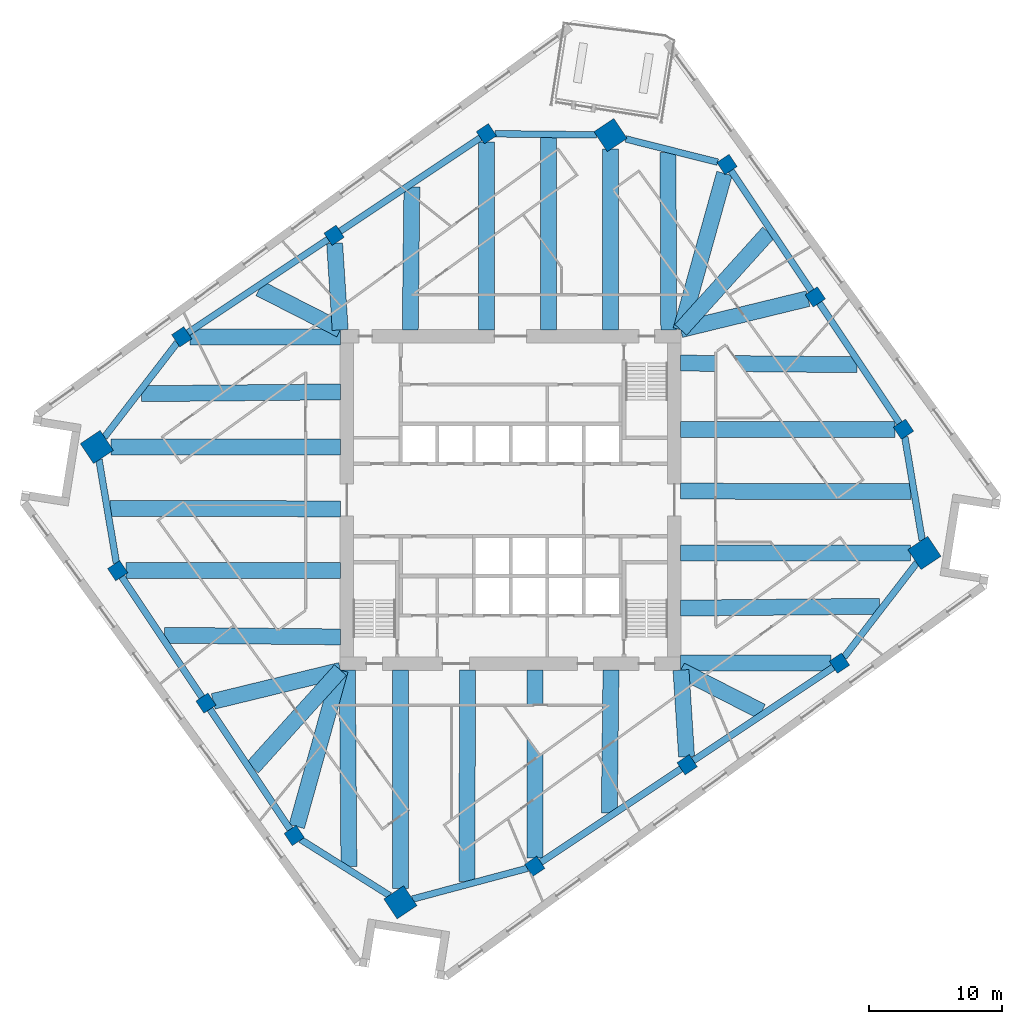
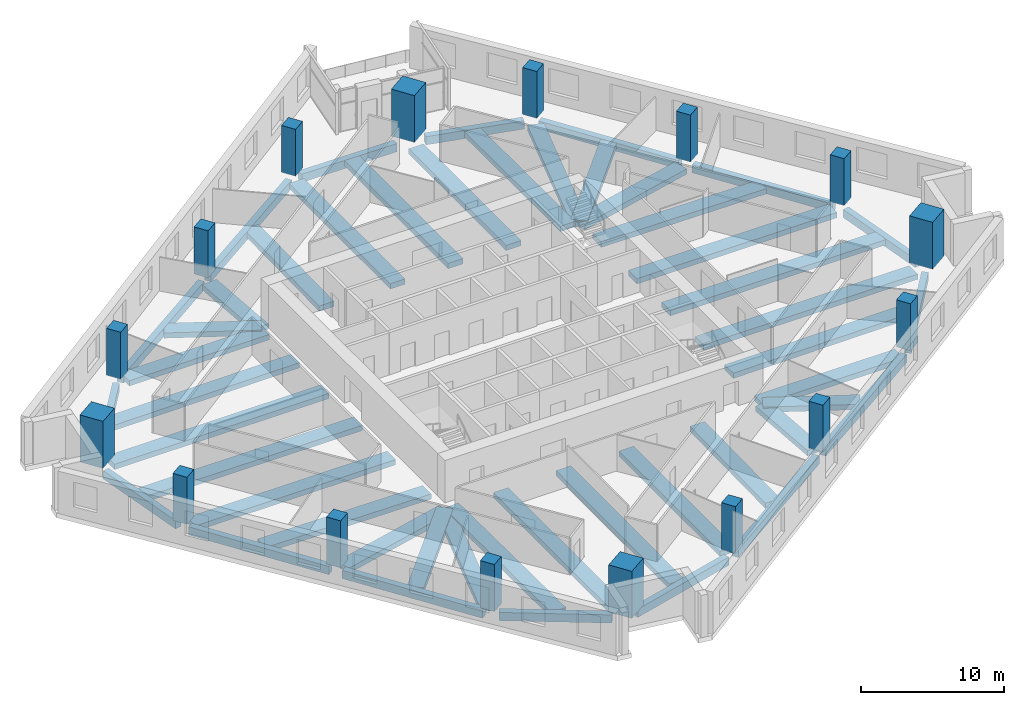
# One storey, part 1 of 11: 48 beams, 16 columns.
"""IFC4 building model written with IfcOpenShell, lengths in metres."""

from ifc_helpers import new_model, si_unit, direction, frame, origin, origin_2d, place, context, subcontext, project, spatial, rectangle, extrude, material, material_profile, profile_set, type_object, element, save


model = new_model("IFC4")

# Units and contexts
model_context = context("Model", 3, precision=1e-05, world=origin(), true_north=direction((0.0, 1.0)))
body_context = subcontext(model_context, "Body", "Model", "MODEL_VIEW")
ifc_project = project(units=[si_unit("LENGTHUNIT", "METRE"), si_unit("AREAUNIT", "SQUARE_METRE"), si_unit("VOLUMEUNIT", "CUBIC_METRE"), si_unit("PLANEANGLEUNIT", "RADIAN"), si_unit("MASSUNIT", "GRAM", prefix="KILO")], contexts=[model_context])

# Site, building, storey
site_placement = place(None, origin())
site = spatial("IfcSite", under=ifc_project, at=site_placement, CompositionType="ELEMENT")
building_placement = place(site_placement, origin())
building = spatial("IfcBuilding", under=site, at=building_placement, Name="Dilmun Exchange Tower", CompositionType="ELEMENT")
storey_placement = place(building_placement, frame((0.0, 0.0, 167.699951171875)))
storey = spatial("IfcBuildingStorey", under=building, at=storey_placement, Name="L39", CompositionType="ELEMENT", Elevation=167.699951171875)

# Columns
ifc_material_1 = material(Name="Concrete C60/75", Category="concrete")
ifc_material_profile_1 = material_profile(ifc_material_1, rectangle(XDim=1.800048828125, YDim=1.800048828125, at=origin_2d()), Name="1800 x 1800")
ifc_profile_set_1 = profile_set([ifc_material_profile_1], Name="Concrete C60/75")
column_type_1 = type_object("IfcColumnType", Name="RC mega column 1800 x 1800 C60/75", PredefinedType="COLUMN", material=ifc_profile_set_1)
for number, where, z_axis, x_axis, name in (
    (1, (7.506103515625, 27.409912109375, 0.0), (0.0, 0.0, 1.0), (0.832028680356, 0.55473261583, 0.0), "Mega column M1"),
    (2, (-31.0791015625, 3.98193359375, 0.0), (0.0, 0.0, 1.0), (0.832028680356, 0.55473261583, 0.0), "Mega column M2"),
    (3, (-8.27587890625, -30.220947265625, 0.0), (0.0, 0.0, 1.0), (0.832028680356, 0.55473261583, 0.0), "Mega column M3"),
    (4, (31.0791015625, -3.98193359375, 0.0), (0.0, 0.0, 1.0), (0.832028680356, 0.55473261583, 0.0), "Mega column M4"),
):
    element("IfcColumn", number, at=place(storey_placement, frame(where, z_axis=z_axis, x_axis=x_axis)), inside=storey, type_object=column_type_1, Name=name, PredefinedType="COLUMN", context=body_context, shape_type="SweptSolid", body=[
        extrude(rectangle(XDim=1.800048828125, YDim=1.800048828125, at=origin_2d()), origin(), (0.0, 0.0, 1.0), 4.0),
    ])
ifc_material_profile_2 = material_profile(ifc_material_1, rectangle(XDim=1.10009765625, YDim=1.10009765625, at=origin_2d()), Name="1100 x 1100")
ifc_profile_set_2 = profile_set([ifc_material_profile_2], Name="Concrete C60/75")
column_type_2 = type_object("IfcColumnType", Name="RC ring column 1100 x 1100 C60/75", PredefinedType="COLUMN", material=ifc_profile_set_2)
for number, where, z_axis, x_axis, name in (
    (5, (-1.818115234375, 27.512939453125, 0.0), (0.0, 0.0, 1.0), (0.832028680356, 0.55473261583, 0.0), "Ring column R01"),
    (6, (-13.258056640625, 19.885009765625, 0.0), (0.0, 0.0, 1.0), (0.832028680356, 0.55473261583, 0.0), "Ring column R02"),
    (7, (-24.698974609375, 12.258056640625, 0.0), (0.0, 0.0, 1.0), (0.832028680356, 0.55473261583, 0.0), "Ring column R03"),
    (8, (-29.510009765625, -5.31201171875, 0.0), (0.0, 0.0, 1.0), (0.832028680356, 0.55473261583, 0.0), "Ring column R04"),
    (9, (-22.881103515625, -15.2548828125, 0.0), (0.0, 0.0, 1.0), (0.832028680356, 0.55473261583, 0.0), "Ring column R05"),
    (10, (-16.251953125, -25.197998046875, 0.0), (0.0, 0.0, 1.0), (0.832028680356, 0.55473261583, 0.0), "Ring column R06"),
    (11, (1.818115234375, -27.512939453125, 0.0), (0.0, 0.0, 1.0), (0.832028680356, 0.55473261583, 0.0), "Ring column R07"),
    (12, (13.258056640625, -19.885009765625, 0.0), (0.0, 0.0, 1.0), (0.832028680356, 0.55473261583, 0.0), "Ring column R08"),
    (13, (24.698974609375, -12.258056640625, 0.0), (0.0, 0.0, 1.0), (0.832028680356, 0.55473261583, 0.0), "Ring column R09"),
    (14, (29.510009765625, 5.31201171875, 0.0), (0.0, 0.0, 1.0), (0.832028680356, 0.55473261583, 0.0), "Ring column R10"),
    (15, (22.881103515625, 15.2548828125, 0.0), (0.0, 0.0, 1.0), (0.832028680356, 0.55473261583, 0.0), "Ring column R11"),
    (16, (16.251953125, 25.197998046875, 0.0), (0.0, 0.0, 1.0), (0.832028680356, 0.55473261583, 0.0), "Ring column R12"),
):
    element("IfcColumn", number, at=place(storey_placement, frame(where, z_axis=z_axis, x_axis=x_axis)), inside=storey, type_object=column_type_2, Name=name, PredefinedType="COLUMN", context=body_context, shape_type="SweptSolid", body=[
        extrude(rectangle(XDim=1.10009765625, YDim=1.10009765625, at=origin_2d()), origin(), (0.0, 0.0, 1.0), 4.0),
    ])

# Beams
ifc_material_2 = material(Name="Concrete C40/50", Category="concrete")
ifc_material_profile_3 = material_profile(ifc_material_2, rectangle(XDim=1.199951171875, YDim=0.449951171875, at=origin_2d()), Name="1200 x 450")
ifc_profile_set_3 = profile_set([ifc_material_profile_3], Name="Concrete C40/50")
beam_type_1 = type_object("IfcBeamType", Name="RC band beam 1200 x 450 C40/50", PredefinedType="BEAM", material=ifc_profile_set_3)
beam_1_placement = place(storey_placement, frame((7.506103515625, 26.355224609375, -0.724853515625), z_axis=(0.0, -1.0, 0.0), x_axis=(1.0, 0.0, 0.0)))
element("IfcBeam", 17, at=beam_1_placement, inside=storey, type_object=beam_type_1, Name="Band beam 1", PredefinedType="BEAM", context=body_context, shape_type="SweptSolid", body=[
    extrude(rectangle(XDim=1.199951171875, YDim=0.449951171875, at=origin_2d()), origin(), (0.0, 0.0, 1.0), 13.582275390625),
])
beam_2_placement = place(storey_placement, frame((-1.818115234375, 26.87890625, -0.724853515625), z_axis=(0.0, -1.0, 0.0), x_axis=(1.0, 0.0, 0.0)))
element("IfcBeam", 18, at=beam_2_placement, inside=storey, type_object=beam_type_1, Name="Band beam 2", PredefinedType="BEAM", context=body_context, shape_type="SweptSolid", body=[
    extrude(rectangle(XDim=1.199951171875, YDim=0.449951171875, at=origin_2d()), origin(), (0.0, 0.0, 1.0), 14.10595703125),
])
beam_3_placement = place(storey_placement, frame((-13.21875, 19.2783203125, -0.724853515625), z_axis=(0.064492965824, -0.997918161654, 0.0), x_axis=(0.997918161654, 0.064492965824, 0.0)))
element("IfcBeam", 19, at=beam_3_placement, inside=storey, type_object=beam_type_1, Name="Band beam 3", PredefinedType="BEAM", context=body_context, shape_type="SweptSolid", body=[
    extrude(rectangle(XDim=1.199951171875, YDim=0.449951171875, at=origin_2d()), origin(), (0.0, 0.0, 1.0), 6.518798828125),
])
beam_4_placement = place(storey_placement, frame((-24.06494140625, 12.258056640625, -0.724853515625), z_axis=(1.0, 0.0, 0.0), x_axis=(0.0, 1.0, 0.0)))
element("IfcBeam", 20, at=beam_4_placement, inside=storey, type_object=beam_type_1, Name="Band beam 4", PredefinedType="BEAM", context=body_context, shape_type="SweptSolid", body=[
    extrude(rectangle(XDim=1.199951171875, YDim=0.449951171875, at=origin_2d()), origin(), (0.0, 0.0, 1.0), 11.2919921875),
])
beam_5_placement = place(storey_placement, frame((-30.0244140625, 3.98193359375, -0.724853515625), z_axis=(1.0, 0.0, 0.0), x_axis=(0.0, 1.0, 0.0)))
element("IfcBeam", 21, at=beam_5_placement, inside=storey, type_object=beam_type_1, Name="Band beam 5", PredefinedType="BEAM", context=body_context, shape_type="SweptSolid", body=[
    extrude(rectangle(XDim=1.199951171875, YDim=0.449951171875, at=origin_2d()), origin(), (0.0, 0.0, 1.0), 17.25146484375),
])
beam_6_placement = place(storey_placement, frame((-28.8759765625, -5.31201171875, -0.724853515625), z_axis=(1.0, 0.0, 0.0), x_axis=(0.0, 1.0, 0.0)))
element("IfcBeam", 22, at=beam_6_placement, inside=storey, type_object=beam_type_1, Name="Band beam 6", PredefinedType="BEAM", context=body_context, shape_type="SweptSolid", body=[
    extrude(rectangle(XDim=1.199951171875, YDim=0.449951171875, at=origin_2d()), origin(), (0.0, 0.0, 1.0), 16.10302734375),
])
beam_7_placement = place(storey_placement, frame((-22.33837890625, -15.122802734375, -0.724853515625), z_axis=(0.971607999859, 0.236596480554, 0.0), x_axis=(-0.236596480554, 0.971607999859, 0.0)))
element("IfcBeam", 23, at=beam_7_placement, inside=storey, type_object=beam_type_1, Name="Band beam 7", PredefinedType="BEAM", context=body_context, shape_type="SweptSolid", body=[
    extrude(rectangle(XDim=1.199951171875, YDim=0.449951171875, at=origin_2d()), origin(), (0.0, 0.0, 1.0), 9.84423828125),
])
beam_8_placement = place(storey_placement, frame((-16.064453125, -24.524658203125, -0.724853515625), z_axis=(0.268225004284, 0.963356292904, 0.0), x_axis=(-0.963356292904, 0.268225004284, 0.0)))
element("IfcBeam", 24, at=beam_8_placement, inside=storey, type_object=beam_type_1, Name="Band beam 8", PredefinedType="BEAM", context=body_context, shape_type="SweptSolid", body=[
    extrude(rectangle(XDim=1.199951171875, YDim=0.449951171875, at=origin_2d()), origin(), (0.0, 0.0, 1.0), 12.19775390625),
])
beam_9_placement = place(storey_placement, frame((-8.27587890625, -29.166259765625, -0.724853515625), z_axis=(0.0, 1.0, 0.0), x_axis=(-1.0, 0.0, 0.0)))
element("IfcBeam", 25, at=beam_9_placement, inside=storey, type_object=beam_type_1, Name="Band beam 9", PredefinedType="BEAM", context=body_context, shape_type="SweptSolid", body=[
    extrude(rectangle(XDim=1.199951171875, YDim=0.449951171875, at=origin_2d()), origin(), (0.0, 0.0, 1.0), 16.393310546875),
])
beam_10_placement = place(storey_placement, frame((1.818115234375, -26.87890625, -0.724853515625), z_axis=(0.0, 1.0, 0.0), x_axis=(-1.0, 0.0, 0.0)))
element("IfcBeam", 26, at=beam_10_placement, inside=storey, type_object=beam_type_1, Name="Band beam 10", PredefinedType="BEAM", context=body_context, shape_type="SweptSolid", body=[
    extrude(rectangle(XDim=1.199951171875, YDim=0.449951171875, at=origin_2d()), origin(), (0.0, 0.0, 1.0), 14.10595703125),
])
beam_11_placement = place(storey_placement, frame((13.21875, -19.2783203125, -0.724853515625), z_axis=(-0.064492965824, 0.997918161654, 0.0), x_axis=(-0.997918161654, -0.064492965824, 0.0)))
element("IfcBeam", 27, at=beam_11_placement, inside=storey, type_object=beam_type_1, Name="Band beam 11", PredefinedType="BEAM", context=body_context, shape_type="SweptSolid", body=[
    extrude(rectangle(XDim=1.199951171875, YDim=0.449951171875, at=origin_2d()), origin(), (0.0, 0.0, 1.0), 6.518798828125),
])
beam_12_placement = place(storey_placement, frame((24.06494140625, -12.258056640625, -0.724853515625), z_axis=(-1.0, 0.0, 0.0), x_axis=(0.0, -1.0, 0.0)))
element("IfcBeam", 28, at=beam_12_placement, inside=storey, type_object=beam_type_1, Name="Band beam 12", PredefinedType="BEAM", context=body_context, shape_type="SweptSolid", body=[
    extrude(rectangle(XDim=1.199951171875, YDim=0.449951171875, at=origin_2d()), origin(), (0.0, 0.0, 1.0), 11.2919921875),
])
beam_13_placement = place(storey_placement, frame((30.0244140625, -3.98193359375, -0.724853515625), z_axis=(-1.0, 0.0, 0.0), x_axis=(0.0, -1.0, 0.0)))
element("IfcBeam", 29, at=beam_13_placement, inside=storey, type_object=beam_type_1, Name="Band beam 13", PredefinedType="BEAM", context=body_context, shape_type="SweptSolid", body=[
    extrude(rectangle(XDim=1.199951171875, YDim=0.449951171875, at=origin_2d()), origin(), (0.0, 0.0, 1.0), 17.25146484375),
])
beam_14_placement = place(storey_placement, frame((28.8759765625, 5.31201171875, -0.724853515625), z_axis=(-1.0, 0.0, 0.0), x_axis=(0.0, -1.0, 0.0)))
element("IfcBeam", 30, at=beam_14_placement, inside=storey, type_object=beam_type_1, Name="Band beam 14", PredefinedType="BEAM", context=body_context, shape_type="SweptSolid", body=[
    extrude(rectangle(XDim=1.199951171875, YDim=0.449951171875, at=origin_2d()), origin(), (0.0, 0.0, 1.0), 16.10302734375),
])
beam_15_placement = place(storey_placement, frame((22.33837890625, 15.122802734375, -0.724853515625), z_axis=(-0.971607999859, -0.236596480554, 0.0), x_axis=(0.236596480554, -0.971607999859, 0.0)))
element("IfcBeam", 31, at=beam_15_placement, inside=storey, type_object=beam_type_1, Name="Band beam 15", PredefinedType="BEAM", context=body_context, shape_type="SweptSolid", body=[
    extrude(rectangle(XDim=1.199951171875, YDim=0.449951171875, at=origin_2d()), origin(), (0.0, 0.0, 1.0), 9.84423828125),
])
beam_16_placement = place(storey_placement, frame((16.064453125, 24.524658203125, -0.724853515625), z_axis=(-0.268225004284, -0.963356292904, 0.0), x_axis=(0.963356292904, -0.268225004284, 0.0)))
element("IfcBeam", 32, at=beam_16_placement, inside=storey, type_object=beam_type_1, Name="Band beam 16", PredefinedType="BEAM", context=body_context, shape_type="SweptSolid", body=[
    extrude(rectangle(XDim=1.199951171875, YDim=0.449951171875, at=origin_2d()), origin(), (0.0, 0.0, 1.0), 12.19775390625),
])
beam_17_placement = place(storey_placement, frame((2.841552734375, 27.238525390625, -0.625), z_axis=(0.00016877352, -0.999999985758, 0.0), x_axis=(0.999999985758, 0.00016877352, 0.0)))
element("IfcBeam", 33, at=beam_17_placement, inside=storey, type_object=beam_type_1, Name="Band beam 17", PredefinedType="BEAM", context=body_context, shape_type="SweptSolid", body=[
    extrude(rectangle(XDim=1.199951171875, YDim=0.449951171875, at=origin_2d()), origin(), (0.0, 0.0, 1.0), 14.465576171875),
])
beam_18_placement = place(storey_placement, frame((-7.414306640625, 23.513427734375, -0.625), z_axis=(-0.011523795482, -0.999933598864, 0.0), x_axis=(0.999933598864, -0.011523795482, 0.0)))
element("IfcBeam", 34, at=beam_18_placement, inside=storey, type_object=beam_type_1, Name="Band beam 18", PredefinedType="BEAM", context=body_context, shape_type="SweptSolid", body=[
    extrude(rectangle(XDim=1.199951171875, YDim=0.449951171875, at=origin_2d()), origin(), (0.0, 0.0, 1.0), 10.7412109375),
])
beam_19_placement = place(storey_placement, frame((-18.854736328125, 15.885986328125, -0.625), z_axis=(0.890922045004, -0.454156261354, 0.0), x_axis=(0.454156261354, 0.890922045004, 0.0)))
element("IfcBeam", 35, at=beam_19_placement, inside=storey, type_object=beam_type_1, Name="Band beam 19", PredefinedType="BEAM", context=body_context, shape_type="SweptSolid", body=[
    extrude(rectangle(XDim=1.199951171875, YDim=0.449951171875, at=origin_2d()), origin(), (0.0, 0.0, 1.0), 6.82275390625),
])
beam_20_placement = place(storey_placement, frame((-27.71240234375, 7.98388671875, -0.625), z_axis=(0.99995842598, 0.009118459957, 0.0), x_axis=(-0.009118459957, 0.99995842598, 0.0)))
element("IfcBeam", 36, at=beam_20_placement, inside=storey, type_object=beam_type_1, Name="Band beam 20", PredefinedType="BEAM", context=body_context, shape_type="SweptSolid", body=[
    extrude(rectangle(XDim=1.199951171875, YDim=0.449951171875, at=origin_2d()), origin(), (0.0, 0.0, 1.0), 14.940185546875),
])
beam_21_placement = place(storey_placement, frame((-30.07470703125, -0.6279296875, -0.625), z_axis=(0.999997699854, -0.002144827713, 0.0), x_axis=(0.002144827713, 0.999997699854, 0.0)))
element("IfcBeam", 37, at=beam_21_placement, inside=storey, type_object=beam_type_1, Name="Band beam 21", PredefinedType="BEAM", context=body_context, shape_type="SweptSolid", body=[
    extrude(rectangle(XDim=1.199951171875, YDim=0.449951171875, at=origin_2d()), origin(), (0.0, 0.0, 1.0), 17.3017578125),
])
beam_22_placement = place(storey_placement, frame((-26.010009765625, -10.159912109375, -0.625), z_axis=(0.999956454863, -0.009332115424, 0.0), x_axis=(0.009332115424, 0.999956454863, 0.0)))
element("IfcBeam", 38, at=beam_22_placement, inside=storey, type_object=beam_type_1, Name="Band beam 22", PredefinedType="BEAM", context=body_context, shape_type="SweptSolid", body=[
    extrude(rectangle(XDim=1.199951171875, YDim=0.449951171875, at=origin_2d()), origin(), (0.0, 0.0, 1.0), 13.237548828125),
])
beam_23_placement = place(storey_placement, frame((-19.381103515625, -20.102783203125, -0.625), z_axis=(0.669462647611, 0.742845719819, 0.0), x_axis=(-0.742845719819, 0.669462647611, 0.0)))
element("IfcBeam", 39, at=beam_23_placement, inside=storey, type_object=beam_type_1, Name="Band beam 23", PredefinedType="BEAM", context=body_context, shape_type="SweptSolid", body=[
    extrude(rectangle(XDim=1.199951171875, YDim=0.449951171875, at=origin_2d()), origin(), (0.0, 0.0, 1.0), 9.857666015625),
])
beam_24_placement = place(storey_placement, frame((-12.145263671875, -27.520751953125, -0.625), z_axis=(-0.008045164826, 0.999967637138, 0.0), x_axis=(-0.999967637138, -0.008045164826, 0.0)))
element("IfcBeam", 40, at=beam_24_placement, inside=storey, type_object=beam_type_1, Name="Band beam 24", PredefinedType="BEAM", context=body_context, shape_type="SweptSolid", body=[
    extrude(rectangle(XDim=1.199951171875, YDim=0.449951171875, at=origin_2d()), origin(), (0.0, 0.0, 1.0), 14.748291015625),
])
beam_25_placement = place(storey_placement, frame((-3.286865234375, -28.651611328125, -0.625), z_axis=(0.003643943273, 0.999993360817, 0.0), x_axis=(-0.999993360817, 0.003643943273, 0.0)))
element("IfcBeam", 41, at=beam_25_placement, inside=storey, type_object=beam_type_1, Name="Band beam 25", PredefinedType="BEAM", context=body_context, shape_type="SweptSolid", body=[
    extrude(rectangle(XDim=1.199951171875, YDim=0.449951171875, at=origin_2d()), origin(), (0.0, 0.0, 1.0), 15.878662109375),
])
beam_26_placement = place(storey_placement, frame((7.414306640625, -23.513427734375, -0.625), z_axis=(0.011523795482, 0.999933598864, 0.0), x_axis=(-0.999933598864, 0.011523795482, 0.0)))
element("IfcBeam", 42, at=beam_26_placement, inside=storey, type_object=beam_type_1, Name="Band beam 26", PredefinedType="BEAM", context=body_context, shape_type="SweptSolid", body=[
    extrude(rectangle(XDim=1.199951171875, YDim=0.449951171875, at=origin_2d()), origin(), (0.0, 0.0, 1.0), 10.7412109375),
])
beam_27_placement = place(storey_placement, frame((18.854736328125, -15.885986328125, -0.625), z_axis=(-0.890922045004, 0.454156261354, 0.0), x_axis=(-0.454156261354, -0.890922045004, 0.0)))
element("IfcBeam", 43, at=beam_27_placement, inside=storey, type_object=beam_type_1, Name="Band beam 27", PredefinedType="BEAM", context=body_context, shape_type="SweptSolid", body=[
    extrude(rectangle(XDim=1.199951171875, YDim=0.449951171875, at=origin_2d()), origin(), (0.0, 0.0, 1.0), 6.82275390625),
])
beam_28_placement = place(storey_placement, frame((27.71240234375, -7.98388671875, -0.625), z_axis=(-0.99995842598, -0.009118459957, 0.0), x_axis=(0.009118459957, -0.99995842598, 0.0)))
element("IfcBeam", 44, at=beam_28_placement, inside=storey, type_object=beam_type_1, Name="Band beam 28", PredefinedType="BEAM", context=body_context, shape_type="SweptSolid", body=[
    extrude(rectangle(XDim=1.199951171875, YDim=0.449951171875, at=origin_2d()), origin(), (0.0, 0.0, 1.0), 14.940185546875),
])
beam_29_placement = place(storey_placement, frame((30.07470703125, 0.6279296875, -0.625), z_axis=(-0.999997699854, 0.002144827713, 0.0), x_axis=(-0.002144827713, -0.999997699854, 0.0)))
element("IfcBeam", 45, at=beam_29_placement, inside=storey, type_object=beam_type_1, Name="Band beam 29", PredefinedType="BEAM", context=body_context, shape_type="SweptSolid", body=[
    extrude(rectangle(XDim=1.199951171875, YDim=0.449951171875, at=origin_2d()), origin(), (0.0, 0.0, 1.0), 17.3017578125),
])
beam_30_placement = place(storey_placement, frame((26.010009765625, 10.159912109375, -0.625), z_axis=(-0.999956454863, 0.009332115424, 0.0), x_axis=(-0.009332115424, -0.999956454863, 0.0)))
element("IfcBeam", 46, at=beam_30_placement, inside=storey, type_object=beam_type_1, Name="Band beam 30", PredefinedType="BEAM", context=body_context, shape_type="SweptSolid", body=[
    extrude(rectangle(XDim=1.199951171875, YDim=0.449951171875, at=origin_2d()), origin(), (0.0, 0.0, 1.0), 13.237548828125),
])
beam_31_placement = place(storey_placement, frame((19.381103515625, 20.102783203125, -0.625), z_axis=(-0.669462647611, -0.742845719819, 0.0), x_axis=(0.742845719819, -0.669462647611, 0.0)))
element("IfcBeam", 47, at=beam_31_placement, inside=storey, type_object=beam_type_1, Name="Band beam 31", PredefinedType="BEAM", context=body_context, shape_type="SweptSolid", body=[
    extrude(rectangle(XDim=1.199951171875, YDim=0.449951171875, at=origin_2d()), origin(), (0.0, 0.0, 1.0), 9.857666015625),
])
beam_32_placement = place(storey_placement, frame((11.82421875, 26.087890625, -0.625), z_axis=(0.004107193345, -0.999991565446, 0.0), x_axis=(0.999991565446, 0.004107193345, 0.0)))
element("IfcBeam", 48, at=beam_32_placement, inside=storey, type_object=beam_type_1, Name="Band beam 32", PredefinedType="BEAM", context=body_context, shape_type="SweptSolid", body=[
    extrude(rectangle(XDim=1.199951171875, YDim=0.449951171875, at=origin_2d()), origin(), (0.0, 0.0, 1.0), 13.31494140625),
])
ifc_material_profile_4 = material_profile(ifc_material_2, rectangle(XDim=0.5, YDim=0.699951171875, at=origin_2d()), Name="500 x 700")
ifc_profile_set_4 = profile_set([ifc_material_profile_4], Name="Concrete C40/50")
beam_type_2 = type_object("IfcBeamType", Name="RC ring beam 500 x 700 C40/50", PredefinedType="SPANDREL", material=ifc_profile_set_4)
beam_33_placement = place(storey_placement, frame((6.443359375, 27.421630859375, -0.75), z_axis=(-0.999938955437, 0.011049226175, 0.0), x_axis=(-0.011049226175, -0.999938955437, 0.0)))
element("IfcBeam", 49, at=beam_33_placement, inside=storey, type_object=beam_type_2, Name="Ring beam 1", PredefinedType="SPANDREL", context=body_context, shape_type="SweptSolid", body=[
    extrude(rectangle(XDim=0.5, YDim=0.699951171875, at=origin_2d()), origin(), (0.0, 0.0, 1.0), 7.623046875),
])
beam_34_placement = place(storey_placement, frame((-2.253173828125, 27.222900390625, -0.75), z_axis=(-0.832002986666, -0.554771151177, 0.0), x_axis=(0.554771151177, -0.832002986666, 0.0)))
element("IfcBeam", 50, at=beam_34_placement, inside=storey, type_object=beam_type_2, Name="Ring beam 2", PredefinedType="SPANDREL", context=body_context, shape_type="SweptSolid", body=[
    extrude(rectangle(XDim=0.5, YDim=0.699951171875, at=origin_2d()), origin(), (0.0, 0.0, 1.0), 12.7041015625),
])
beam_35_placement = place(storey_placement, frame((-13.693115234375, 19.594970703125, -0.75), z_axis=(-0.832062120058, -0.554682457235, 0.0), x_axis=(0.554682457235, -0.832062120058, 0.0)))
element("IfcBeam", 51, at=beam_35_placement, inside=storey, type_object=beam_type_2, Name="Ring beam 3", PredefinedType="SPANDREL", context=body_context, shape_type="SweptSolid", body=[
    extrude(rectangle(XDim=0.5, YDim=0.699951171875, at=origin_2d()), origin(), (0.0, 0.0, 1.0), 12.704345703125),
])
beam_36_placement = place(storey_placement, frame((-25.037109375, 11.819580078125, -0.75), z_axis=(-0.610521727247, -0.791999507929, 0.0), x_axis=(0.791999507929, -0.610521727247, 0.0)))
element("IfcBeam", 52, at=beam_36_placement, inside=storey, type_object=beam_type_2, Name="Ring beam 4", PredefinedType="SPANDREL", context=body_context, shape_type="SweptSolid", body=[
    extrude(rectangle(XDim=0.5, YDim=0.699951171875, at=origin_2d()), origin(), (0.0, 0.0, 1.0), 8.97314453125),
])
beam_37_placement = place(storey_placement, frame((-30.91943359375, 3.036376953125, -0.75), z_axis=(0.166485785433, -0.986043854628, 0.0), x_axis=(0.986043854628, 0.166485785433, 0.0)))
element("IfcBeam", 53, at=beam_37_placement, inside=storey, type_object=beam_type_2, Name="Ring beam 5", PredefinedType="SPANDREL", context=body_context, shape_type="SweptSolid", body=[
    extrude(rectangle(XDim=0.5, YDim=0.699951171875, at=origin_2d()), origin(), (0.0, 0.0, 1.0), 7.890869140625),
])
for number, where, z_axis, x_axis, name in (
    (54, (-29.219970703125, -5.747314453125, -0.75), (0.554731197186, -0.832029626196, 0.0), (0.832029626196, 0.554731197186, 0.0), "Ring beam 6"),
    (55, (-22.5908203125, -15.690185546875, -0.75), (0.554731197186, -0.832029626196, 0.0), (0.832029626196, 0.554731197186, 0.0), "Ring beam 7"),
):
    element("IfcBeam", number, at=place(storey_placement, frame(where, z_axis=z_axis, x_axis=x_axis)), inside=storey, type_object=beam_type_2, Name=name, PredefinedType="SPANDREL", context=body_context, shape_type="SweptSolid", body=[
        extrude(rectangle(XDim=0.5, YDim=0.699951171875, at=origin_2d()), origin(), (0.0, 0.0, 1.0), 10.904052734375),
    ])
beam_38_placement = place(storey_placement, frame((-15.764892578125, -25.504638671875, -0.75), z_axis=(0.846177038183, -0.532901885953, 0.0), x_axis=(0.532901885953, 0.846177038183, 0.0)))
element("IfcBeam", 56, at=beam_38_placement, inside=storey, type_object=beam_type_2, Name="Ring beam 8", PredefinedType="SPANDREL", context=body_context, shape_type="SweptSolid", body=[
    extrude(rectangle(XDim=0.5, YDim=0.699951171875, at=origin_2d()), origin(), (0.0, 0.0, 1.0), 7.891357421875),
])
beam_39_placement = place(storey_placement, frame((-7.384521484375, -29.981689453125, -0.75), z_axis=(0.965850974034, 0.259098236113, 0.0), x_axis=(-0.259098236113, 0.965850974034, 0.0)))
element("IfcBeam", 57, at=beam_39_placement, inside=storey, type_object=beam_type_2, Name="Ring beam 9", PredefinedType="SPANDREL", context=body_context, shape_type="SweptSolid", body=[
    extrude(rectangle(XDim=0.5, YDim=0.699951171875, at=origin_2d()), origin(), (0.0, 0.0, 1.0), 8.97412109375),
])
beam_40_placement = place(storey_placement, frame((2.253173828125, -27.222900390625, -0.75), z_axis=(0.832002986666, 0.554771151177, 0.0), x_axis=(-0.554771151177, 0.832002986666, 0.0)))
element("IfcBeam", 58, at=beam_40_placement, inside=storey, type_object=beam_type_2, Name="Ring beam 10", PredefinedType="SPANDREL", context=body_context, shape_type="SweptSolid", body=[
    extrude(rectangle(XDim=0.5, YDim=0.699951171875, at=origin_2d()), origin(), (0.0, 0.0, 1.0), 12.7041015625),
])
beam_41_placement = place(storey_placement, frame((13.693115234375, -19.594970703125, -0.75), z_axis=(0.832062120058, 0.554682457235, 0.0), x_axis=(-0.554682457235, 0.832062120058, 0.0)))
element("IfcBeam", 59, at=beam_41_placement, inside=storey, type_object=beam_type_2, Name="Ring beam 11", PredefinedType="SPANDREL", context=body_context, shape_type="SweptSolid", body=[
    extrude(rectangle(XDim=0.5, YDim=0.699951171875, at=origin_2d()), origin(), (0.0, 0.0, 1.0), 12.704345703125),
])
beam_42_placement = place(storey_placement, frame((25.037109375, -11.819580078125, -0.75), z_axis=(0.610521727247, 0.791999507929, 0.0), x_axis=(-0.791999507929, 0.610521727247, 0.0)))
element("IfcBeam", 60, at=beam_42_placement, inside=storey, type_object=beam_type_2, Name="Ring beam 12", PredefinedType="SPANDREL", context=body_context, shape_type="SweptSolid", body=[
    extrude(rectangle(XDim=0.5, YDim=0.699951171875, at=origin_2d()), origin(), (0.0, 0.0, 1.0), 8.97314453125),
])
beam_43_placement = place(storey_placement, frame((30.91943359375, -3.036376953125, -0.75), z_axis=(-0.166485785433, 0.986043854628, 0.0), x_axis=(-0.986043854628, -0.166485785433, 0.0)))
element("IfcBeam", 61, at=beam_43_placement, inside=storey, type_object=beam_type_2, Name="Ring beam 13", PredefinedType="SPANDREL", context=body_context, shape_type="SweptSolid", body=[
    extrude(rectangle(XDim=0.5, YDim=0.699951171875, at=origin_2d()), origin(), (0.0, 0.0, 1.0), 7.890869140625),
])
for number, where, z_axis, x_axis, name in (
    (62, (29.219970703125, 5.747314453125, -0.75), (-0.554731197186, 0.832029626196, 0.0), (-0.832029626196, -0.554731197186, 0.0), "Ring beam 14"),
    (63, (22.5908203125, 15.690185546875, -0.75), (-0.554731197186, 0.832029626196, 0.0), (-0.832029626196, -0.554731197186, 0.0), "Ring beam 15"),
):
    element("IfcBeam", number, at=place(storey_placement, frame(where, z_axis=z_axis, x_axis=x_axis)), inside=storey, type_object=beam_type_2, Name=name, PredefinedType="SPANDREL", context=body_context, shape_type="SweptSolid", body=[
        extrude(rectangle(XDim=0.5, YDim=0.699951171875, at=origin_2d()), origin(), (0.0, 0.0, 1.0), 10.904052734375),
    ])
beam_44_placement = place(storey_placement, frame((15.559326171875, 25.373291015625, -0.75), z_axis=(-0.96947736899, 0.245180812903, 0.0), x_axis=(-0.245180812903, -0.96947736899, 0.0)))
element("IfcBeam", 64, at=beam_44_placement, inside=storey, type_object=beam_type_2, Name="Ring beam 16", PredefinedType="SPANDREL", context=body_context, shape_type="SweptSolid", body=[
    extrude(rectangle(XDim=0.5, YDim=0.699951171875, at=origin_2d()), origin(), (0.0, 0.0, 1.0), 7.12060546875),
])

save(model, "model.ifc")
